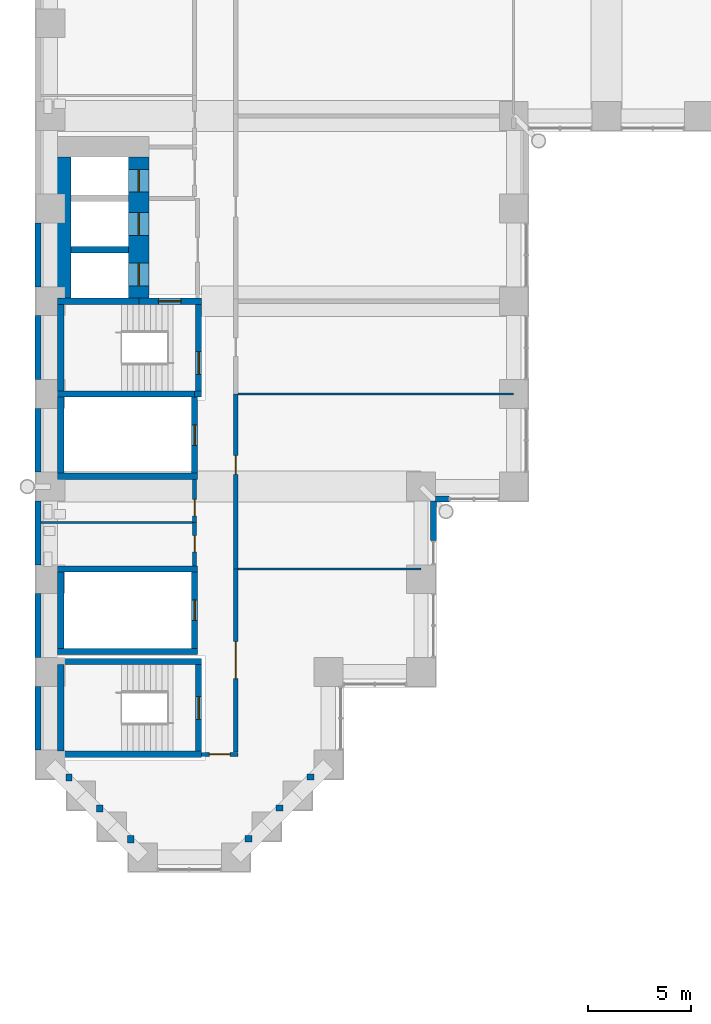
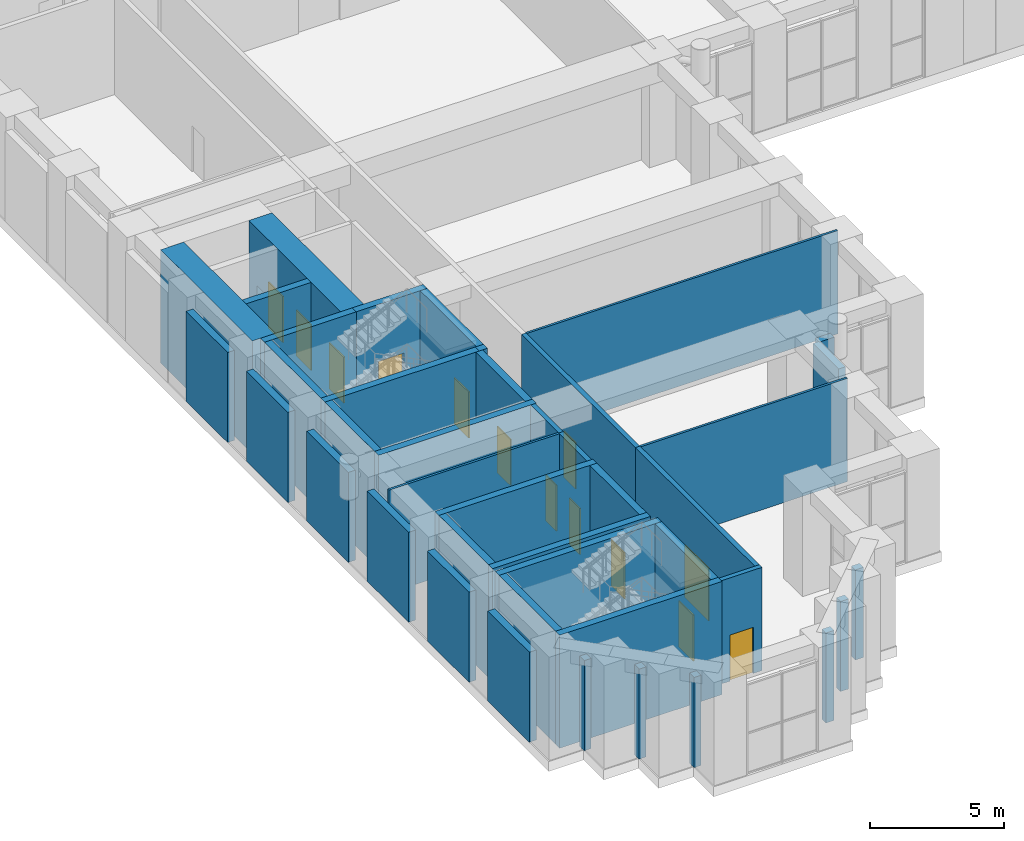
# One storey, part 18 of 35: 42 walls, 13 doors, 13 openings.
"""IFC4 building model written with IfcOpenShell, lengths in metres."""

import ifcopenshell
import ifcopenshell.guid

model = None  # the IFC model being written
_history = None  # IfcOwnerHistory: only IFC2X3 demands one
_inside = {}  # id of a spatial element -> (the spatial element, [elements in it])
_under = {}  # id of a project, library or spatial element -> (it, [spatial elements below it])
_declared = {}  # id of a project -> (the project, [libraries it declares])
_typed = {}  # id of a type object -> (the type object, [elements of that type])
_made_of = {}  # id of a material, layer set ... -> (it, [elements and type objects made of it])


def new_model(schema):
    """Start an empty IFC model of exactly this schema.

    Asked for "IFC4X3", IfcOpenShell would pick the latest addendum, in which some entities
    have other attributes; the version numbers below select the first issue.
    IFC2X3 requires an IfcOwnerHistory on every rooted entity: one is made here for all.
    """
    global model, _history
    if schema == "IFC4X3":
        model = ifcopenshell.file(schema_version=(4, 3, 0, 0))
    else:
        model = ifcopenshell.file(schema=schema)
    _inside.clear()
    _under.clear()
    _declared.clear()
    _typed.clear()
    _made_of.clear()
    _history = None
    if model.schema == "IFC2X3":
        org = make("IfcOrganization", Name="unknown")
        user = make(
            "IfcPersonAndOrganization",
            ThePerson=make("IfcPerson", FamilyName="unknown"),
            TheOrganization=org,
        )
        app = make(
            "IfcApplication",
            ApplicationDeveloper=org,
            Version="unknown",
            ApplicationFullName="unknown",
            ApplicationIdentifier="unknown",
        )
        _history = make(
            "IfcOwnerHistory",
            OwningUser=user,
            OwningApplication=app,
            ChangeAction="ADDED",
            CreationDate=0,
        )
    return model


def make(cls, **values):
    """One entity of the class cls with the attributes given. An attribute that is None is left unset."""
    return model.create_entity(
        cls, **{name: value for name, value in values.items() if value is not None}
    )


def rooted(cls, **values):
    """An entity with a GlobalId (a new one), such as an element, a storey or a relation."""
    return make(cls, GlobalId=ifcopenshell.guid.new(), OwnerHistory=_history, **values)


def si_unit(unit_type, name, prefix=None):
    """IfcSIUnit, for example si_unit("LENGTHUNIT", "METRE", prefix="MILLI")."""
    return make("IfcSIUnit", UnitType=unit_type, Prefix=prefix, Name=name)


def assignment(units):
    """IfcUnitAssignment: the units of a project."""
    return None if units is None else make("IfcUnitAssignment", Units=units)


def point(xyz):
    """IfcCartesianPoint."""
    return None if xyz is None else make("IfcCartesianPoint", Coordinates=xyz)


def direction(xyz):
    """IfcDirection."""
    return None if xyz is None else make("IfcDirection", DirectionRatios=xyz)


def frame(location, z_axis=None, x_axis=None):
    """IfcAxis2Placement3D, a coordinate frame: its origin and axes. An axis left out is left unset."""
    return make(
        "IfcAxis2Placement3D",
        Location=point(location),
        Axis=direction(z_axis),
        RefDirection=direction(x_axis),
    )


def frame_2d(location, x_axis=None):
    """IfcAxis2Placement2D, a coordinate frame in the plane: its origin and x axis."""
    return make(
        "IfcAxis2Placement2D", Location=point(location), RefDirection=direction(x_axis)
    )


def origin():
    """The frame at (0, 0, 0) with its axes left unset."""
    return frame((0.0, 0.0, 0.0))


def place(relative_to, where):
    """IfcLocalPlacement: puts the frame where relative to a parent placement (None: the world)."""
    return make(
        "IfcLocalPlacement", PlacementRelTo=relative_to, RelativePlacement=where
    )


def context(
    kind, dimensions, precision=None, world=None, true_north=None, identifier=None
):
    """IfcGeometricRepresentationContext, for example the 3D "Model" context."""
    return make(
        "IfcGeometricRepresentationContext",
        ContextIdentifier=identifier,
        ContextType=kind,
        CoordinateSpaceDimension=dimensions,
        Precision=precision,
        WorldCoordinateSystem=world,
        TrueNorth=true_north,
    )


def subcontext(parent, identifier, kind, view, scale=None):
    """IfcGeometricRepresentationSubContext, for example "Body" below "Model"."""
    return make(
        "IfcGeometricRepresentationSubContext",
        ContextIdentifier=identifier,
        ContextType=kind,
        ParentContext=parent,
        TargetScale=scale,
        TargetView=view,
    )


def project(units=None, contexts=None):
    """IfcProject with its units and contexts."""
    return rooted(
        "IfcProject",
        Name="project",
        RepresentationContexts=contexts,
        UnitsInContext=assignment(units),
    )


def spatial(cls, under=None, at=None, **own):
    """A site, building, storey or space (cls), placed at a placement, below another one or the project."""
    s = rooted(cls, ObjectPlacement=at, **own)
    if under is not None:
        _under.setdefault(under.id(), (under, []))[1].append(s)
    return s


def profile(cls, at=None, kind="AREA", **sizes):
    """A parametric profile (cls). Its sizes go by their IFC names, for example OverallWidth=200.0."""
    return make(cls, ProfileType=kind, Position=at, **sizes)


def rectangle(**sizes):
    """IfcRectangleProfileDef."""
    return profile("IfcRectangleProfileDef", **sizes)


def extrude(swept, where, along, depth):
    """IfcExtrudedAreaSolid: the profile swept, set in the frame where, extruded along a direction by depth."""
    return make(
        "IfcExtrudedAreaSolid",
        SweptArea=swept,
        Position=where,
        ExtrudedDirection=direction(along),
        Depth=depth,
    )


def shape(context_of_items, identifier, shape_type, items):
    """IfcShapeRepresentation: the items that make up one representation, for example the "Body"."""
    return make(
        "IfcShapeRepresentation",
        ContextOfItems=context_of_items,
        RepresentationIdentifier=identifier,
        RepresentationType=shape_type,
        Items=items,
    )


def material(Name=None, Category=None):
    """IfcMaterial."""
    return make("IfcMaterial", Name=Name, Category=Category)


def layer(
    of_material, thickness, ventilated=None, Name=None, Category=None, Priority=None
):
    """IfcMaterialLayer: one layer of a wall or slab, of a material (None: an air gap)."""
    return make(
        "IfcMaterialLayer",
        Material=of_material,
        LayerThickness=thickness,
        IsVentilated=ventilated,
        Name=Name,
        Category=Category,
        Priority=Priority,
    )


def layer_set(layers, Name=None):
    """IfcMaterialLayerSet."""
    return make("IfcMaterialLayerSet", MaterialLayers=layers, LayerSetName=Name)


def made_of(thing, what):
    """Note that an element or type object is made of a material, layer set ...; save() writes the relation."""
    if what is not None:
        _made_of.setdefault(what.id(), (what, []))[1].append(thing)
    return thing


def type_object(cls, material=None, **own):
    """A type object (cls), such as IfcWallType, which elements share."""
    return made_of(rooted(cls, **own), material)


def element(
    cls,
    number,
    at=None,
    inside=None,
    cuts=None,
    type_object=None,
    material=None,
    context=None,
    identifier="Body",
    shape_type=None,
    held_by="IfcProductDefinitionShape",
    body=None,
    shapes=None,
    **own,
):
    """One element of the class cls, such as IfcWall. Its Tag is "e" and its number.

    at: its placement. inside: the storey or other place that contains it. cuts: it is an
    opening in that element (IfcRelVoidsElement). A single representation is given by context,
    identifier, shape_type and body (its items); several are given by shapes. held_by: the class
    of the entity that holds the representations. save() writes the other relations.
    """
    e = rooted(cls, Tag="e%d" % number, ObjectPlacement=at, **own)
    if body is not None:
        shapes = [shape(context, identifier, shape_type, body)]
    if shapes is not None:
        e.Representation = make(held_by, Representations=shapes)
    if inside is not None:
        _inside.setdefault(inside.id(), (inside, []))[1].append(e)
    if cuts is not None:
        rooted(
            "IfcRelVoidsElement", RelatingBuildingElement=cuts, RelatedOpeningElement=e
        )
    if type_object is not None:
        _typed.setdefault(type_object.id(), (type_object, []))[1].append(e)
    return made_of(e, material)


def fill(opening, filler):
    """IfcRelFillsElement: the door or window that sits in an opening."""
    return rooted(
        "IfcRelFillsElement",
        RelatingOpeningElement=opening,
        RelatedBuildingElement=filler,
    )


def aggregate(whole, parts):
    """IfcRelAggregates: a whole, such as a stair, and the parts it consists of."""
    return rooted("IfcRelAggregates", RelatingObject=whole, RelatedObjects=parts)


def save(model, path):
    """Write the relations noted so far, then the file.

    IfcRelAggregates (storeys below a building ...), IfcRelContainedInSpatialStructure (elements
    in a storey), IfcRelDefinesByType, IfcRelAssociatesMaterial and IfcRelDeclares: one each for
    every whole, place, type object, material and project.
    """
    for whole, parts in _under.values():
        aggregate(whole, parts)
    for where, things in _inside.values():
        rooted(
            "IfcRelContainedInSpatialStructure",
            RelatedElements=things,
            RelatingStructure=where,
        )
    for kind, things in _typed.values():
        rooted("IfcRelDefinesByType", RelatedObjects=things, RelatingType=kind)
    for what, things in _made_of.values():
        rooted("IfcRelAssociatesMaterial", RelatedObjects=things, RelatingMaterial=what)
    for by, libraries in _declared.values():
        rooted("IfcRelDeclares", RelatingContext=by, RelatedDefinitions=libraries)
    model.write(path)


model = new_model("IFC4")

# Units and contexts
model_context = context("Model", 3, precision=1e-05, world=origin(), true_north=direction((0.0, 1.0)))
body_context = subcontext(model_context, "Body", "Model", "MODEL_VIEW")
ifc_project = project(units=[si_unit("LENGTHUNIT", "METRE"), si_unit("AREAUNIT", "SQUARE_METRE"), si_unit("VOLUMEUNIT", "CUBIC_METRE"), si_unit("PLANEANGLEUNIT", "RADIAN"), si_unit("MASSUNIT", "GRAM", prefix="KILO")], contexts=[model_context])

# Site, building, storey
site_placement = place(None, origin())
site = spatial("IfcSite", under=ifc_project, at=site_placement, CompositionType="ELEMENT")
building_placement = place(site_placement, origin())
building = spatial("IfcBuilding", under=site, at=building_placement, Name="Firuza Court", CompositionType="ELEMENT")
storey_placement = place(building_placement, frame((0.0, 0.0, 24.0)))
storey = spatial("IfcBuildingStorey", under=building, at=storey_placement, Name="L04", CompositionType="ELEMENT", Elevation=24.0)

# Walls
ifc_material_1 = material(Name="Moisture-resistant gypsum board partition")
ifc_layer_1 = layer(ifc_material_1, 0.10009765625)
ifc_layer_set_1 = layer_set([ifc_layer_1], Name="Moisture-resistant gypsum board partition")
wall_type_1 = type_object("IfcWallType", Name="Bathroom partition 100", PredefinedType="PLUMBINGWALL", material=ifc_layer_set_1)
wall_1_placement = place(storey_placement, frame((-0.449951171875, 16.25, 0.0), z_axis=(0.0, 0.0, 1.0), x_axis=(1.0, 0.0, 0.0)))
element("IfcWall", 1, at=wall_1_placement, inside=storey, type_object=wall_type_1, Name="Bathroom partition 100 L04", PredefinedType="PLUMBINGWALL", context=body_context, shape_type="SweptSolid", body=[
    extrude(rectangle(XDim=7.349853515625, YDim=0.10009765625, at=frame_2d((3.6748046875, 0.0))), origin(), (0.0, 0.0, 1.0), 4.699951171875),
])
ifc_material_2 = material(Name="Concrete C60/75", Category="concrete")
ifc_layer_2 = layer(ifc_material_2, 1.0)
ifc_layer_set_2 = layer_set([ifc_layer_2], Name="Concrete C60/75")
wall_type_2 = type_object("IfcWallType", Name="Core wall 1000 C60/75", PredefinedType="SHEAR", material=ifc_layer_set_2)
wall_2_placement = place(storey_placement, frame((0.5, 27.14990234375, -0.449951171875), z_axis=(0.0, 0.0, 1.0), x_axis=(0.0, 1.0, 0.0)))
element("IfcWall", 2, at=wall_2_placement, inside=storey, type_object=wall_type_2, Name="Core wall lift shaft L04", PredefinedType="SHEAR", context=body_context, shape_type="SweptSolid", body=[
    extrude(rectangle(XDim=6.85009765625, YDim=1.0, at=frame_2d((3.425048828125, 0.0))), origin(), (0.0, 0.0, 1.0), 5.14990234375),
])

# Wall, openings, doors
wall_3_placement = place(storey_placement, frame((4.300048828125, 27.14990234375, -0.449951171875), z_axis=(0.0, 0.0, 1.0), x_axis=(0.0, 1.0, 0.0)))
wall_3 = element("IfcWall", 3, at=wall_3_placement, inside=storey, type_object=wall_type_2, Name="Core wall lift shaft L04", PredefinedType="SHEAR", context=body_context, shape_type="SweptSolid", body=[
    extrude(rectangle(XDim=6.85009765625, YDim=1.0, at=frame_2d((3.425048828125, 0.0))), origin(), (0.0, 0.0, 1.0), 5.14990234375),
])
opening_1_placement = place(wall_3_placement, frame((3.050048828125, 0.0, 0.449951171875)))
opening_1 = element("IfcOpeningElement", 4, at=opening_1_placement, cuts=wall_3, Name="Opening LD-FL1-04", PredefinedType="OPENING", context=body_context, shape_type="SweptSolid", body=[
    extrude(rectangle(XDim=1.10009765625, YDim=2.10009765625, at=frame_2d((0.550048828125, 1.050048828125))), frame((0.0, 0.511962890625, 0.0), z_axis=(0.0, -1.0, 0.0), x_axis=(1.0, 0.0, 0.0)), (0.0, 0.0, 1.0), 1.02392578125),
])
opening_2_placement = place(wall_3_placement, frame((0.60009765625, 0.0, 0.449951171875)))
opening_2 = element("IfcOpeningElement", 5, at=opening_2_placement, cuts=wall_3, Name="Opening LD-FL2-04", PredefinedType="OPENING", context=body_context, shape_type="SweptSolid", body=[
    extrude(rectangle(XDim=1.10009765625, YDim=2.10009765625, at=frame_2d((0.550048828125, 1.050048828125))), frame((0.0, 0.511962890625, 0.0), z_axis=(0.0, -1.0, 0.0), x_axis=(1.0, 0.0, 0.0)), (0.0, 0.0, 1.0), 1.02392578125),
])
opening_3_placement = place(wall_3_placement, frame((5.14990234375, 0.0, 0.449951171875)))
opening_3 = element("IfcOpeningElement", 6, at=opening_3_placement, cuts=wall_3, Name="Opening LD-SL1-04", PredefinedType="OPENING", context=body_context, shape_type="SweptSolid", body=[
    extrude(rectangle(XDim=1.10009765625, YDim=2.10009765625, at=frame_2d((0.550048828125, 1.050048828125))), frame((0.0, 0.511962890625, 0.0), z_axis=(0.0, -1.0, 0.0), x_axis=(1.0, 0.0, 0.0)), (0.0, 0.0, 1.0), 1.02392578125),
])
ifc_material_3 = material(Name="Stainless steel 1.4301 door leaf", Category="steel")
door_type_1 = type_object("IfcDoorType", Name="Lift landing door 1100", OperationType="SLIDING_TO_LEFT", PredefinedType="DOOR", material=ifc_material_3)
door_1_placement = place(opening_1_placement, origin())
door_1 = element("IfcDoor", 7, at=door_1_placement, inside=storey, type_object=door_type_1, Name="Landing door FL1", OperationType="SLIDING_TO_LEFT", OverallHeight=2.10009765625, OverallWidth=1.10009765625, PredefinedType="DOOR", context=body_context, shape_type="SweptSolid", body=[
    extrude(rectangle(XDim=1.10009765625, YDim=2.10009765625, at=frame_2d((0.550048828125, 1.050048828125))), frame((0.0, 0.02490234375, 0.0), z_axis=(0.0, -1.0, 0.0), x_axis=(1.0, 0.0, 0.0)), (0.0, 0.0, 1.0), 0.050048828125),
])
fill(opening_1, door_1)
door_2_placement = place(opening_2_placement, origin())
door_2 = element("IfcDoor", 8, at=door_2_placement, inside=storey, type_object=door_type_1, Name="Landing door FL2", OperationType="SLIDING_TO_LEFT", OverallHeight=2.10009765625, OverallWidth=1.10009765625, PredefinedType="DOOR", context=body_context, shape_type="SweptSolid", body=[
    extrude(rectangle(XDim=1.10009765625, YDim=2.10009765625, at=frame_2d((0.550048828125, 1.050048828125))), frame((0.0, 0.02490234375, 0.0), z_axis=(0.0, -1.0, 0.0), x_axis=(1.0, 0.0, 0.0)), (0.0, 0.0, 1.0), 0.050048828125),
])
fill(opening_2, door_2)
door_3_placement = place(opening_3_placement, origin())
door_3 = element("IfcDoor", 9, at=door_3_placement, inside=storey, type_object=door_type_1, Name="Landing door SL1", OperationType="SLIDING_TO_LEFT", OverallHeight=2.10009765625, OverallWidth=1.10009765625, PredefinedType="DOOR", context=body_context, shape_type="SweptSolid", body=[
    extrude(rectangle(XDim=1.10009765625, YDim=2.10009765625, at=frame_2d((0.550048828125, 1.050048828125))), frame((0.0, 0.02490234375, 0.0), z_axis=(0.0, -1.0, 0.0), x_axis=(1.0, 0.0, 0.0)), (0.0, 0.0, 1.0), 0.050048828125),
])
fill(opening_3, door_3)

# Walls
ifc_layer_3 = layer(ifc_material_2, 0.300048828125)
ifc_layer_set_3 = layer_set([ifc_layer_3], Name="Concrete C60/75")
wall_type_3 = type_object("IfcWallType", Name="Core wall 300 C60/75", PredefinedType="SHEAR", material=ifc_layer_set_3)
for number, where, z_axis, x_axis, name in (
    (10, (0.35009765625, 5.0, -0.449951171875), (0.0, 0.0, 1.0), (1.0, 0.0, 0.0), "Core wall stair L04"),
    (11, (0.35009765625, 9.5, -0.449951171875), (0.0, 0.0, 1.0), (1.0, 0.0, 0.0), "Core wall stair L04"),
):
    element("IfcWall", number, at=place(storey_placement, frame(where, z_axis=z_axis, x_axis=x_axis)), inside=storey, type_object=wall_type_3, Name=name, PredefinedType="SHEAR", context=body_context, shape_type="SweptSolid", body=[
        extrude(rectangle(XDim=7.0, YDim=0.300048828125, at=frame_2d((3.5, 0.0))), origin(), (0.0, 0.0, 1.0), 5.14990234375),
    ])
for number, where, z_axis, x_axis, name in (
    (12, (0.35009765625, 10.0, -0.449951171875), (0.0, 0.0, 1.0), (1.0, 0.0, 0.0), "Core wall riser L04"),
    (13, (0.35009765625, 14.0, -0.449951171875), (0.0, 0.0, 1.0), (1.0, 0.0, 0.0), "Core wall riser L04"),
    (14, (0.35009765625, 18.5, -0.449951171875), (0.0, 0.0, 1.0), (1.0, 0.0, 0.0), "Core wall riser L04"),
):
    element("IfcWall", number, at=place(storey_placement, frame(where, z_axis=z_axis, x_axis=x_axis)), inside=storey, type_object=wall_type_3, Name=name, PredefinedType="SHEAR", context=body_context, shape_type="SweptSolid", body=[
        extrude(rectangle(XDim=6.7998046875, YDim=0.300048828125, at=frame_2d((3.39990234375, 0.0))), origin(), (0.0, 0.0, 1.0), 5.14990234375),
    ])
wall_4_placement = place(storey_placement, frame((0.35009765625, 22.5, -0.449951171875), z_axis=(0.0, 0.0, 1.0), x_axis=(1.0, 0.0, 0.0)))
element("IfcWall", 15, at=wall_4_placement, inside=storey, type_object=wall_type_3, Name="Core wall riser L04", PredefinedType="SHEAR", context=body_context, shape_type="SweptSolid", body=[
    extrude(rectangle(XDim=6.64990234375, YDim=0.300048828125, at=frame_2d((3.324951171875, 0.0))), origin(), (0.0, 0.0, 1.0), 5.14990234375),
])
wall_5_placement = place(storey_placement, frame((0.35009765625, 27.0, -0.449951171875), z_axis=(0.0, 0.0, 1.0), x_axis=(1.0, 0.0, 0.0)))
element("IfcWall", 16, at=wall_5_placement, inside=storey, type_object=wall_type_3, Name="Core wall lift shaft L04", PredefinedType="SHEAR", context=body_context, shape_type="SweptSolid", body=[
    extrude(rectangle(XDim=3.949951171875, YDim=0.300048828125, at=frame_2d((1.97509765625, 0.0))), origin(), (0.0, 0.0, 1.0), 5.14990234375),
])
wall_6_placement = place(storey_placement, frame((0.5, 5.14990234375, -0.449951171875), z_axis=(0.0, 0.0, 1.0), x_axis=(0.0, 1.0, 0.0)))
element("IfcWall", 17, at=wall_6_placement, inside=storey, type_object=wall_type_3, Name="Core wall stair L04", PredefinedType="SHEAR", context=body_context, shape_type="SweptSolid", body=[
    extrude(rectangle(XDim=4.2001953125, YDim=0.300048828125, at=frame_2d((2.10009765625, 0.0))), origin(), (0.0, 0.0, 1.0), 5.14990234375),
])
for number, where, z_axis, x_axis, name in (
    (18, (0.5, 10.14990234375, -0.449951171875), (0.0, 0.0, 1.0), (0.0, 1.0, 0.0), "Core wall riser L04"),
    (19, (0.5, 18.64990234375, -0.449951171875), (0.0, 0.0, 1.0), (0.0, 1.0, 0.0), "Core wall riser L04"),
):
    element("IfcWall", number, at=place(storey_placement, frame(where, z_axis=z_axis, x_axis=x_axis)), inside=storey, type_object=wall_type_3, Name=name, PredefinedType="SHEAR", context=body_context, shape_type="SweptSolid", body=[
        extrude(rectangle(XDim=3.7001953125, YDim=0.300048828125, at=frame_2d((1.85009765625, 0.0))), origin(), (0.0, 0.0, 1.0), 5.14990234375),
    ])
wall_7_placement = place(storey_placement, frame((0.5, 22.64990234375, -0.449951171875), z_axis=(0.0, 0.0, 1.0), x_axis=(0.0, 1.0, 0.0)))
element("IfcWall", 20, at=wall_7_placement, inside=storey, type_object=wall_type_3, Name="Core wall stair L04", PredefinedType="SHEAR", context=body_context, shape_type="SweptSolid", body=[
    extrude(rectangle(XDim=4.2001953125, YDim=0.300048828125, at=frame_2d((2.10009765625, 0.0))), origin(), (0.0, 0.0, 1.0), 5.14990234375),
])
wall_8_placement = place(storey_placement, frame((1.0, 29.5, -0.449951171875), z_axis=(0.0, 0.0, 1.0), x_axis=(1.0, 0.0, 0.0)))
element("IfcWall", 21, at=wall_8_placement, inside=storey, type_object=wall_type_3, Name="Core wall lift shaft L04", PredefinedType="SHEAR", context=body_context, shape_type="SweptSolid", body=[
    extrude(rectangle(XDim=2.800048828125, YDim=0.300048828125, at=frame_2d((1.39990234375, 0.0))), origin(), (0.0, 0.0, 1.0), 5.14990234375),
])

# Wall, opening, door
wall_9_placement = place(storey_placement, frame((4.300048828125, 27.0, -0.449951171875), z_axis=(0.0, 0.0, 1.0), x_axis=(1.0, 0.0, 0.0)))
wall_9 = element("IfcWall", 22, at=wall_9_placement, inside=storey, type_object=wall_type_3, Name="Core wall stair L04", PredefinedType="SHEAR", context=body_context, shape_type="SweptSolid", body=[
    extrude(rectangle(XDim=3.050048828125, YDim=0.300048828125, at=frame_2d((1.52490234375, 0.0))), origin(), (0.0, 0.0, 1.0), 5.14990234375),
])
opening_4_placement = place(wall_9_placement, frame((0.949951171875, 0.0, 0.449951171875)))
opening_4 = element("IfcOpeningElement", 23, at=opening_4_placement, cuts=wall_9, Name="Opening D04014", PredefinedType="OPENING", context=body_context, shape_type="SweptSolid", body=[
    extrude(rectangle(XDim=1.10009765625, YDim=2.10009765625, at=frame_2d((0.550048828125, 1.050048828125))), frame((0.0, 0.162109375, 0.0), z_axis=(0.0, -1.0, 0.0), x_axis=(1.0, 0.0, 0.0)), (0.0, 0.0, 1.0), 0.323974609375),
])
ifc_material_4 = material(Name="Timber door leaf in hardwood frame", Category="wood")
door_type_2 = type_object("IfcDoorType", Name="Stair door 1100", OperationType="SINGLE_SWING_LEFT", PredefinedType="DOOR", material=ifc_material_4)
door_4_placement = place(opening_4_placement, frame((1.10009765625, 0.0, 0.0), z_axis=(0.0, 0.0, 1.0), x_axis=(-1.0, 0.0, 0.0)))
door_4 = element("IfcDoor", 24, at=door_4_placement, inside=storey, type_object=door_type_2, Name="Fire-fighting lobby door", OperationType="SINGLE_SWING_LEFT", OverallHeight=2.10009765625, OverallWidth=1.10009765625, PredefinedType="DOOR", context=body_context, shape_type="SweptSolid", body=[
    extrude(rectangle(XDim=1.10009765625, YDim=2.10009765625, at=frame_2d((0.550048828125, 1.050048828125))), frame((0.0, 0.02490234375, 0.0), z_axis=(0.0, -1.0, 0.0), x_axis=(1.0, 0.0, 0.0)), (0.0, 0.0, 1.0), 0.050048828125),
])
fill(opening_4, door_4)

wall_10_placement = place(storey_placement, frame((7.0, 10.14990234375, -0.449951171875), z_axis=(0.0, 0.0, 1.0), x_axis=(0.0, 1.0, 0.0)))
wall_10 = element("IfcWall", 25, at=wall_10_placement, inside=storey, type_object=wall_type_3, Name="Core wall riser L04", PredefinedType="SHEAR", context=body_context, shape_type="SweptSolid", body=[
    extrude(rectangle(XDim=3.7001953125, YDim=0.300048828125, at=frame_2d((1.85009765625, 0.0))), origin(), (0.0, 0.0, 1.0), 5.14990234375),
])
opening_5_placement = place(wall_10_placement, frame((1.35009765625, 0.0, 0.449951171875)))
opening_5 = element("IfcOpeningElement", 26, at=opening_5_placement, cuts=wall_10, Name="Opening D04012", PredefinedType="OPENING", context=body_context, shape_type="SweptSolid", body=[
    extrude(rectangle(XDim=1.0, YDim=2.10009765625, at=frame_2d((0.5, 1.050048828125))), frame((0.0, 0.162109375, 0.0), z_axis=(0.0, -1.0, 0.0), x_axis=(1.0, 0.0, 0.0)), (0.0, 0.0, 1.0), 0.323974609375),
])
ifc_material_5 = material(Name="Timber door leaf in hardwood frame", Category="wood")
door_type_3 = type_object("IfcDoorType", Name="Riser door 1000", OperationType="SINGLE_SWING_LEFT", PredefinedType="DOOR", material=ifc_material_5)
door_5_placement = place(opening_5_placement, origin())
door_5 = element("IfcDoor", 27, at=door_5_placement, inside=storey, type_object=door_type_3, Name="Riser door R4", OperationType="SINGLE_SWING_LEFT", OverallHeight=2.10009765625, OverallWidth=1.0, PredefinedType="DOOR", context=body_context, shape_type="SweptSolid", body=[
    extrude(rectangle(XDim=1.0, YDim=2.10009765625, at=frame_2d((0.5, 1.050048828125))), frame((0.0, 0.02490234375, 0.0), z_axis=(0.0, -1.0, 0.0), x_axis=(1.0, 0.0, 0.0)), (0.0, 0.0, 1.0), 0.050048828125),
])
fill(opening_5, door_5)

wall_11_placement = place(storey_placement, frame((7.0, 18.64990234375, -0.449951171875), z_axis=(0.0, 0.0, 1.0), x_axis=(0.0, 1.0, 0.0)))
wall_11 = element("IfcWall", 28, at=wall_11_placement, inside=storey, type_object=wall_type_3, Name="Core wall riser L04", PredefinedType="SHEAR", context=body_context, shape_type="SweptSolid", body=[
    extrude(rectangle(XDim=3.7001953125, YDim=0.300048828125, at=frame_2d((1.85009765625, 0.0))), origin(), (0.0, 0.0, 1.0), 5.14990234375),
])
opening_6_placement = place(wall_11_placement, frame((1.35009765625, 0.0, 0.449951171875)))
opening_6 = element("IfcOpeningElement", 29, at=opening_6_placement, cuts=wall_11, Name="Opening D04010", PredefinedType="OPENING", context=body_context, shape_type="SweptSolid", body=[
    extrude(rectangle(XDim=1.0, YDim=2.10009765625, at=frame_2d((0.5, 1.050048828125))), frame((0.0, 0.162109375, 0.0), z_axis=(0.0, -1.0, 0.0), x_axis=(1.0, 0.0, 0.0)), (0.0, 0.0, 1.0), 0.323974609375),
])
door_6_placement = place(opening_6_placement, origin())
door_6 = element("IfcDoor", 30, at=door_6_placement, inside=storey, type_object=door_type_3, Name="Riser door R1", OperationType="SINGLE_SWING_LEFT", OverallHeight=2.10009765625, OverallWidth=1.0, PredefinedType="DOOR", context=body_context, shape_type="SweptSolid", body=[
    extrude(rectangle(XDim=1.0, YDim=2.10009765625, at=frame_2d((0.5, 1.050048828125))), frame((0.0, 0.02490234375, 0.0), z_axis=(0.0, -1.0, 0.0), x_axis=(1.0, 0.0, 0.0)), (0.0, 0.0, 1.0), 0.050048828125),
])
fill(opening_6, door_6)

# Wall
wall_12_placement = place(storey_placement, frame((7.0, 22.5, -0.449951171875), z_axis=(0.0, 0.0, 1.0), x_axis=(1.0, 0.0, 0.0)))
element("IfcWall", 31, at=wall_12_placement, inside=storey, type_object=wall_type_3, Name="Core wall stair L04", PredefinedType="SHEAR", context=body_context, shape_type="SweptSolid", body=[
    extrude(rectangle(XDim=0.35009765625, YDim=0.300048828125, at=frame_2d((0.175048828125, 0.0))), origin(), (0.0, 0.0, 1.0), 5.14990234375),
])

# Wall, opening, door
wall_13_placement = place(storey_placement, frame((7.199951171875, 5.14990234375, -0.449951171875), z_axis=(0.0, 0.0, 1.0), x_axis=(0.0, 1.0, 0.0)))
wall_13 = element("IfcWall", 32, at=wall_13_placement, inside=storey, type_object=wall_type_3, Name="Core wall stair L04", PredefinedType="SHEAR", context=body_context, shape_type="SweptSolid", body=[
    extrude(rectangle(XDim=4.2001953125, YDim=0.300048828125, at=frame_2d((2.10009765625, 0.0))), origin(), (0.0, 0.0, 1.0), 5.14990234375),
])
opening_7_placement = place(wall_13_placement, frame((1.550048828125, 0.0, 0.449951171875)))
opening_7 = element("IfcOpeningElement", 33, at=opening_7_placement, cuts=wall_13, Name="Opening D04018", PredefinedType="OPENING", context=body_context, shape_type="SweptSolid", body=[
    extrude(rectangle(XDim=1.10009765625, YDim=2.10009765625, at=frame_2d((0.550048828125, 1.050048828125))), frame((0.0, 0.162109375, 0.0), z_axis=(0.0, -1.0, 0.0), x_axis=(1.0, 0.0, 0.0)), (0.0, 0.0, 1.0), 0.323974609375),
])
door_7_placement = place(opening_7_placement, origin())
door_7 = element("IfcDoor", 34, at=door_7_placement, inside=storey, type_object=door_type_2, Name="Stair door S5", OperationType="SINGLE_SWING_LEFT", OverallHeight=2.10009765625, OverallWidth=1.10009765625, PredefinedType="DOOR", context=body_context, shape_type="SweptSolid", body=[
    extrude(rectangle(XDim=1.10009765625, YDim=2.10009765625, at=frame_2d((0.550048828125, 1.050048828125))), frame((0.0, 0.02490234375, 0.0), z_axis=(0.0, -1.0, 0.0), x_axis=(1.0, 0.0, 0.0)), (0.0, 0.0, 1.0), 0.050048828125),
])
fill(opening_7, door_7)

wall_14_placement = place(storey_placement, frame((7.199951171875, 22.64990234375, -0.449951171875), z_axis=(0.0, 0.0, 1.0), x_axis=(0.0, 1.0, 0.0)))
wall_14 = element("IfcWall", 35, at=wall_14_placement, inside=storey, type_object=wall_type_3, Name="Core wall stair L04", PredefinedType="SHEAR", context=body_context, shape_type="SweptSolid", body=[
    extrude(rectangle(XDim=4.2001953125, YDim=0.300048828125, at=frame_2d((2.10009765625, 0.0))), origin(), (0.0, 0.0, 1.0), 5.14990234375),
])
opening_8_placement = place(wall_14_placement, frame((0.800048828125, 0.0, 0.449951171875)))
opening_8 = element("IfcOpeningElement", 36, at=opening_8_placement, cuts=wall_14, Name="Opening D04015", PredefinedType="OPENING", context=body_context, shape_type="SweptSolid", body=[
    extrude(rectangle(XDim=1.10009765625, YDim=2.10009765625, at=frame_2d((0.550048828125, 1.050048828125))), frame((0.0, 0.162109375, 0.0), z_axis=(0.0, -1.0, 0.0), x_axis=(1.0, 0.0, 0.0)), (0.0, 0.0, 1.0), 0.323974609375),
])
door_8_placement = place(opening_8_placement, origin())
door_8 = element("IfcDoor", 37, at=door_8_placement, inside=storey, type_object=door_type_2, Name="Stair door S2", OperationType="SINGLE_SWING_LEFT", OverallHeight=2.10009765625, OverallWidth=1.10009765625, PredefinedType="DOOR", context=body_context, shape_type="SweptSolid", body=[
    extrude(rectangle(XDim=1.10009765625, YDim=2.10009765625, at=frame_2d((0.550048828125, 1.050048828125))), frame((0.0, 0.02490234375, 0.0), z_axis=(0.0, -1.0, 0.0), x_axis=(1.0, 0.0, 0.0)), (0.0, 0.0, 1.0), 0.050048828125),
])
fill(opening_8, door_8)

ifc_material_6 = material(Name="Blockwork, plastered both sides", Category="masonry")
ifc_layer_4 = layer(ifc_material_6, 0.199951171875)
ifc_layer_set_4 = layer_set([ifc_layer_4], Name="Blockwork, plastered both sides")
wall_type_4 = type_object("IfcWallType", Name="Corridor wall 200", PredefinedType="PARTITIONING", material=ifc_layer_set_4)
wall_15_placement = place(storey_placement, frame((9.0, 5.10009765625, 0.0), z_axis=(0.0, 0.0, 1.0), x_axis=(0.0, 1.0, 0.0)))
wall_15 = element("IfcWall", 38, at=wall_15_placement, inside=storey, type_object=wall_type_4, Name="Corridor wall 200 L04", PredefinedType="PARTITIONING", context=body_context, shape_type="SweptSolid", body=[
    extrude(rectangle(XDim=8.89990234375, YDim=0.199951171875, at=frame_2d((4.449951171875, 0.0))), origin(), (0.0, 0.0, 1.0), 4.699951171875),
])
opening_9_placement = place(wall_15_placement, frame((3.574951171875, 0.0, 0.0)))
opening_9 = element("IfcOpeningElement", 39, at=opening_9_placement, cuts=wall_15, Name="Opening D04020", PredefinedType="OPENING", context=body_context, shape_type="SweptSolid", body=[
    extrude(rectangle(XDim=1.800048828125, YDim=2.39990234375, at=frame_2d((0.89990234375, 1.199951171875))), frame((0.0, 0.11181640625, 0.0), z_axis=(0.0, -1.0, 0.0), x_axis=(1.0, 0.0, 0.0)), (0.0, 0.0, 1.0), 0.223876953125),
])
ifc_material_7 = material(Name="Timber door leaf in hardwood frame", Category="wood")
door_type_4 = type_object("IfcDoorType", Name="Double door 1800 EI 30", OperationType="DOUBLE_DOOR_SINGLE_SWING", PredefinedType="DOOR", material=ifc_material_7)
door_9_placement = place(opening_9_placement, origin())
door_9 = element("IfcDoor", 40, at=door_9_placement, inside=storey, type_object=door_type_4, Name="Double door", OperationType="DOUBLE_DOOR_SINGLE_SWING", OverallHeight=2.39990234375, OverallWidth=1.800048828125, PredefinedType="DOOR", context=body_context, shape_type="SweptSolid", body=[
    extrude(rectangle(XDim=1.800048828125, YDim=2.39990234375, at=frame_2d((0.89990234375, 1.199951171875))), frame((0.0, 0.02490234375, 0.0), z_axis=(0.0, -1.0, 0.0), x_axis=(1.0, 0.0, 0.0)), (0.0, 0.0, 1.0), 0.050048828125),
])
fill(opening_9, door_9)

wall_16_placement = place(storey_placement, frame((9.0, 14.0, 0.0), z_axis=(0.0, 0.0, 1.0), x_axis=(0.0, 1.0, 0.0)))
wall_16 = element("IfcWall", 41, at=wall_16_placement, inside=storey, type_object=wall_type_4, Name="Corridor wall 200 L04", PredefinedType="PARTITIONING", context=body_context, shape_type="SweptSolid", body=[
    extrude(rectangle(XDim=8.5, YDim=0.199951171875, at=frame_2d((4.25, 0.0))), origin(), (0.0, 0.0, 1.0), 4.699951171875),
])
opening_10_placement = place(wall_16_placement, frame((4.60009765625, 0.0, 0.0)))
opening_10 = element("IfcOpeningElement", 42, at=opening_10_placement, cuts=wall_16, Name="Opening D04021", PredefinedType="OPENING", context=body_context, shape_type="SweptSolid", body=[
    extrude(rectangle(XDim=0.89990234375, YDim=2.10009765625, at=frame_2d((0.449951171875, 1.050048828125))), frame((0.0, 0.11181640625, 0.0), z_axis=(0.0, -1.0, 0.0), x_axis=(1.0, 0.0, 0.0)), (0.0, 0.0, 1.0), 0.223876953125),
])
ifc_material_8 = material(Name="Timber door leaf in hardwood frame", Category="wood")
door_type_5 = type_object("IfcDoorType", Name="Room door 900 EI 30", OperationType="SINGLE_SWING_LEFT", PredefinedType="DOOR", material=ifc_material_8)
door_10_placement = place(opening_10_placement, frame((0.89990234375, 0.0, 0.0), z_axis=(0.0, 0.0, 1.0), x_axis=(-1.0, 0.0, 0.0)))
door_10 = element("IfcDoor", 43, at=door_10_placement, inside=storey, type_object=door_type_5, Name="Room door", OperationType="SINGLE_SWING_LEFT", OverallHeight=2.10009765625, OverallWidth=0.89990234375, PredefinedType="DOOR", context=body_context, shape_type="SweptSolid", body=[
    extrude(rectangle(XDim=0.89990234375, YDim=2.10009765625, at=frame_2d((0.449951171875, 1.050048828125))), frame((0.0, 0.02490234375, 0.0), z_axis=(0.0, -1.0, 0.0), x_axis=(1.0, 0.0, 0.0)), (0.0, 0.0, 1.0), 0.050048828125),
])
fill(opening_10, door_10)

wall_17_placement = place(storey_placement, frame((7.0, 16.25, 0.0), z_axis=(0.0, 0.0, 1.0), x_axis=(0.0, -1.0, 0.0)))
wall_17 = element("IfcWall", 44, at=wall_17_placement, inside=storey, type_object=wall_type_4, Name="Corridor wall 200 L04", PredefinedType="PARTITIONING", context=body_context, shape_type="SweptSolid", body=[
    extrude(rectangle(XDim=2.10009765625, YDim=0.199951171875, at=frame_2d((1.050048828125, 0.0))), origin(), (0.0, 0.0, 1.0), 4.699951171875),
])
opening_11_placement = place(wall_17_placement, frame((0.625, 0.0, 0.0)))
opening_11 = element("IfcOpeningElement", 45, at=opening_11_placement, cuts=wall_17, Name="Opening D04022", PredefinedType="OPENING", context=body_context, shape_type="SweptSolid", body=[
    extrude(rectangle(XDim=0.800048828125, YDim=2.10009765625, at=frame_2d((0.39990234375, 1.050048828125))), frame((0.0, 0.11181640625, 0.0), z_axis=(0.0, -1.0, 0.0), x_axis=(1.0, 0.0, 0.0)), (0.0, 0.0, 1.0), 0.223876953125),
])
ifc_material_9 = material(Name="Timber door leaf in hardwood frame", Category="wood")
door_type_6 = type_object("IfcDoorType", Name="Room door 800 EI 30", OperationType="SINGLE_SWING_LEFT", PredefinedType="DOOR", material=ifc_material_9)
door_11_placement = place(opening_11_placement, frame((0.800048828125, 0.0, 0.0), z_axis=(0.0, 0.0, 1.0), x_axis=(-1.0, 0.0, 0.0)))
door_11 = element("IfcDoor", 46, at=door_11_placement, inside=storey, type_object=door_type_6, Name="Room door", OperationType="SINGLE_SWING_RIGHT", OverallHeight=2.10009765625, OverallWidth=0.800048828125, PredefinedType="DOOR", context=body_context, shape_type="SweptSolid", body=[
    extrude(rectangle(XDim=0.800048828125, YDim=2.10009765625, at=frame_2d((0.39990234375, 1.050048828125))), frame((0.0, 0.02490234375, 0.0), z_axis=(0.0, -1.0, 0.0), x_axis=(1.0, 0.0, 0.0)), (0.0, 0.0, 1.0), 0.050048828125),
])
fill(opening_11, door_11)

wall_18_placement = place(storey_placement, frame((7.0, 18.35009765625, 0.0), z_axis=(0.0, 0.0, 1.0), x_axis=(0.0, -1.0, 0.0)))
wall_18 = element("IfcWall", 47, at=wall_18_placement, inside=storey, type_object=wall_type_4, Name="Corridor wall 200 L04", PredefinedType="PARTITIONING", context=body_context, shape_type="SweptSolid", body=[
    extrude(rectangle(XDim=2.10009765625, YDim=0.199951171875, at=frame_2d((1.050048828125, 0.0))), origin(), (0.0, 0.0, 1.0), 4.699951171875),
])
opening_12_placement = place(wall_18_placement, frame((0.97509765625, 0.0, 0.0)))
opening_12 = element("IfcOpeningElement", 48, at=opening_12_placement, cuts=wall_18, Name="Opening D04023", PredefinedType="OPENING", context=body_context, shape_type="SweptSolid", body=[
    extrude(rectangle(XDim=0.800048828125, YDim=2.10009765625, at=frame_2d((0.39990234375, 1.050048828125))), frame((0.0, 0.11181640625, 0.0), z_axis=(0.0, -1.0, 0.0), x_axis=(1.0, 0.0, 0.0)), (0.0, 0.0, 1.0), 0.223876953125),
])
door_12_placement = place(opening_12_placement, frame((0.800048828125, 0.0, 0.0), z_axis=(0.0, 0.0, 1.0), x_axis=(-1.0, 0.0, 0.0)))
door_12 = element("IfcDoor", 49, at=door_12_placement, inside=storey, type_object=door_type_6, Name="Room door", OperationType="SINGLE_SWING_LEFT", OverallHeight=2.10009765625, OverallWidth=0.800048828125, PredefinedType="DOOR", context=body_context, shape_type="SweptSolid", body=[
    extrude(rectangle(XDim=0.800048828125, YDim=2.10009765625, at=frame_2d((0.39990234375, 1.050048828125))), frame((0.0, 0.02490234375, 0.0), z_axis=(0.0, -1.0, 0.0), x_axis=(1.0, 0.0, 0.0)), (0.0, 0.0, 1.0), 0.050048828125),
])
fill(opening_12, door_12)

# Walls
ifc_material_10 = material(Name="Timber stud partition, plasterboard both sides", Category="wood")
ifc_layer_5 = layer(ifc_material_10, 0.10009765625)
ifc_layer_set_5 = layer_set([ifc_layer_5], Name="Timber stud partition, plasterboard both sides")
wall_type_5 = type_object("IfcWallType", Name="Partition wall 100", PredefinedType="PARTITIONING", material=ifc_layer_set_5)
wall_19_placement = place(storey_placement, frame((18.0, 14.0, 0.0), z_axis=(0.0, 0.0, 1.0), x_axis=(-1.0, 0.0, 0.0)))
element("IfcWall", 50, at=wall_19_placement, inside=storey, type_object=wall_type_5, Name="Partition wall 100 L04", PredefinedType="PARTITIONING", context=body_context, shape_type="SweptSolid", body=[
    extrude(rectangle(XDim=8.89990234375, YDim=0.10009765625, at=frame_2d((4.449951171875, 0.0))), origin(), (0.0, 0.0, 1.0), 4.699951171875),
])
wall_20_placement = place(storey_placement, frame((22.5, 22.5, 0.0), z_axis=(0.0, 0.0, 1.0), x_axis=(-1.0, 0.0, 0.0)))
element("IfcWall", 51, at=wall_20_placement, inside=storey, type_object=wall_type_5, Name="Partition wall 100 L04", PredefinedType="PARTITIONING", context=body_context, shape_type="SweptSolid", body=[
    extrude(rectangle(XDim=13.39990234375, YDim=0.10009765625, at=frame_2d((6.699951171875, 0.0))), origin(), (0.0, 0.0, 1.0), 4.699951171875),
])

# Wall, opening, door
ifc_material_11 = material(Name="Blockwork, fire-rated", Category="masonry")
ifc_layer_6 = layer(ifc_material_11, 0.199951171875)
ifc_layer_set_6 = layer_set([ifc_layer_6], Name="Blockwork, fire-rated")
wall_type_6 = type_object("IfcWallType", Name="Plant room wall 200", PredefinedType="PARTITIONING", material=ifc_layer_set_6)
wall_21_placement = place(storey_placement, frame((7.35009765625, 5.0, 0.0), z_axis=(0.0, 0.0, 1.0), x_axis=(1.0, 0.0, 0.0)))
wall_21 = element("IfcWall", 52, at=wall_21_placement, inside=storey, type_object=wall_type_6, Name="Plant room wall 200 L04", PredefinedType="PARTITIONING", context=body_context, shape_type="SweptSolid", body=[
    extrude(rectangle(XDim=1.75, YDim=0.199951171875, at=frame_2d((0.875, 0.0))), origin(), (0.0, 0.0, 1.0), 4.699951171875),
])
opening_13_placement = place(wall_21_placement, frame((0.375, 0.0, 0.0)))
opening_13 = element("IfcOpeningElement", 53, at=opening_13_placement, cuts=wall_21, Name="Opening D04019", PredefinedType="OPENING", context=body_context, shape_type="SweptSolid", body=[
    extrude(rectangle(XDim=1.0, YDim=2.10009765625, at=frame_2d((0.5, 1.050048828125))), frame((0.0, 0.11181640625, 0.0), z_axis=(0.0, -1.0, 0.0), x_axis=(1.0, 0.0, 0.0)), (0.0, 0.0, 1.0), 0.223876953125),
])
ifc_material_12 = material(Name="Timber door leaf in hardwood frame", Category="wood")
door_type_7 = type_object("IfcDoorType", Name="Store door 1000", OperationType="SINGLE_SWING_LEFT", PredefinedType="DOOR", material=ifc_material_12)
door_13_placement = place(opening_13_placement, frame((1.0, 0.0, 0.0), z_axis=(0.0, 0.0, 1.0), x_axis=(-1.0, 0.0, 0.0)))
door_13 = element("IfcDoor", 54, at=door_13_placement, inside=storey, type_object=door_type_7, Name="Store door", OperationType="SINGLE_SWING_LEFT", OverallHeight=2.10009765625, OverallWidth=1.0, PredefinedType="DOOR", context=body_context, shape_type="SweptSolid", body=[
    extrude(rectangle(XDim=1.0, YDim=2.10009765625, at=frame_2d((0.5, 1.050048828125))), frame((0.0, 0.02490234375, 0.0), z_axis=(0.0, -1.0, 0.0), x_axis=(1.0, 0.0, 0.0)), (0.0, 0.0, 1.0), 0.050048828125),
])
fill(opening_13, door_13)

# Walls
ifc_material_13 = material(Name="Ceramic tile", Category="ceramic")
ifc_layer_7 = layer(ifc_material_13, 0.02001953125)
ifc_material_14 = material(Name="Mineral wool insulation", Category="insulation")
ifc_layer_8 = layer(ifc_material_14, 0.1298828125)
ifc_material_15 = material(Name="Concrete C40/50 precast", Category="concrete")
ifc_layer_9 = layer(ifc_material_15, 0.14990234375)
ifc_layer_set_7 = layer_set([ifc_layer_7, ifc_layer_8, ifc_layer_9], Name="Concrete C40/50 precast")
wall_type_7 = type_object("IfcWallType", Name="Precast spandrel wall with turquoise TILE PANEL face 300", PredefinedType="STANDARD", material=ifc_layer_set_7)
for number, where, z_axis, x_axis, name in (
    (55, (9.449951171875, 0.89990234375, 0.0), (0.0, 0.0, 1.0), (1.0, 0.0, 0.0), "Facade wall L04 S"),
    (56, (10.949951171875, 2.39990234375, 0.0), (0.0, 0.0, 1.0), (1.0, 0.0, 0.0), "Facade wall L04 S"),
    (57, (12.449951171875, 3.89990234375, 0.0), (0.0, 0.0, 1.0), (1.0, 0.0, 0.0), "Facade wall L04 S"),
):
    element("IfcWall", number, at=place(storey_placement, frame(where, z_axis=z_axis, x_axis=x_axis)), inside=storey, type_object=wall_type_7, Name=name, PredefinedType="STANDARD", context=body_context, shape_type="SweptSolid", body=[
        extrude(rectangle(XDim=0.35009765625, YDim=0.300048828125, at=frame_2d((0.175048828125, 0.0))), origin(), (0.0, 0.0, 1.0), 4.10009765625),
    ])
wall_22_placement = place(storey_placement, frame((18.60009765625, 15.3818359375, 0.0), z_axis=(0.0, 0.0, 1.0), x_axis=(0.0, 1.0, 0.0)))
element("IfcWall", 58, at=wall_22_placement, inside=storey, type_object=wall_type_7, Name="Facade wall L04 E", PredefinedType="STANDARD", context=body_context, shape_type="SweptSolid", body=[
    extrude(rectangle(XDim=1.918212890625, YDim=0.300048828125, at=frame_2d((0.958984375, 0.0))), origin(), (0.0, 0.0, 1.0), 4.10009765625),
])
wall_23_placement = place(storey_placement, frame((18.699951171875, 17.39990234375, 0.0), z_axis=(0.0, 0.0, 1.0), x_axis=(1.0, 0.0, 0.0)))
element("IfcWall", 59, at=wall_23_placement, inside=storey, type_object=wall_type_7, Name="Facade wall L04 S", PredefinedType="STANDARD", context=body_context, shape_type="SweptSolid", body=[
    extrude(rectangle(XDim=0.650146484375, YDim=0.300048828125, at=frame_2d((0.3251953125, 0.0))), origin(), (0.0, 0.0, 1.0), 4.10009765625),
])
for number, where, z_axis, x_axis, name in (
    (60, (-0.60009765625, 30.800048828125, 0.0), (0.0, 0.0, 1.0), (0.0, -1.0, 0.0), "Facade wall L04 W"),
    (61, (-0.60009765625, 26.300048828125, 0.0), (0.0, 0.0, 1.0), (0.0, -1.0, 0.0), "Facade wall L04 W"),
    (62, (-0.60009765625, 21.800048828125, 0.0), (0.0, 0.0, 1.0), (0.0, -1.0, 0.0), "Facade wall L04 W"),
    (63, (-0.60009765625, 17.300048828125, 0.0), (0.0, 0.0, 1.0), (0.0, -1.0, 0.0), "Facade wall L04 W"),
    (64, (-0.60009765625, 12.800048828125, 0.0), (0.0, 0.0, 1.0), (0.0, -1.0, 0.0), "Facade wall L04 W"),
    (65, (-0.60009765625, 8.300048828125, 0.0), (0.0, 0.0, 1.0), (0.0, -1.0, 0.0), "Facade wall L04 W"),
):
    element("IfcWall", number, at=place(storey_placement, frame(where, z_axis=z_axis, x_axis=x_axis)), inside=storey, type_object=wall_type_7, Name=name, PredefinedType="STANDARD", context=body_context, shape_type="SweptSolid", body=[
        extrude(rectangle(XDim=3.10009765625, YDim=0.300048828125, at=frame_2d((1.550048828125, 0.0))), origin(), (0.0, 0.0, 1.0), 4.10009765625),
    ])
for number, where, z_axis, x_axis, name in (
    (66, (0.89990234375, 4.050048828125, 0.0), (0.0, 0.0, 1.0), (0.0, -1.0, 0.0), "Facade wall L04 W"),
    (67, (2.39990234375, 2.550048828125, 0.0), (0.0, 0.0, 1.0), (0.0, -1.0, 0.0), "Facade wall L04 W"),
    (68, (3.89990234375, 1.050048828125, 0.0), (0.0, 0.0, 1.0), (0.0, -1.0, 0.0), "Facade wall L04 W"),
):
    element("IfcWall", number, at=place(storey_placement, frame(where, z_axis=z_axis, x_axis=x_axis)), inside=storey, type_object=wall_type_7, Name=name, PredefinedType="STANDARD", context=body_context, shape_type="SweptSolid", body=[
        extrude(rectangle(XDim=0.35009765625, YDim=0.300048828125, at=frame_2d((0.175048828125, 0.0))), origin(), (0.0, 0.0, 1.0), 4.10009765625),
    ])

save(model, "model.ifc")
